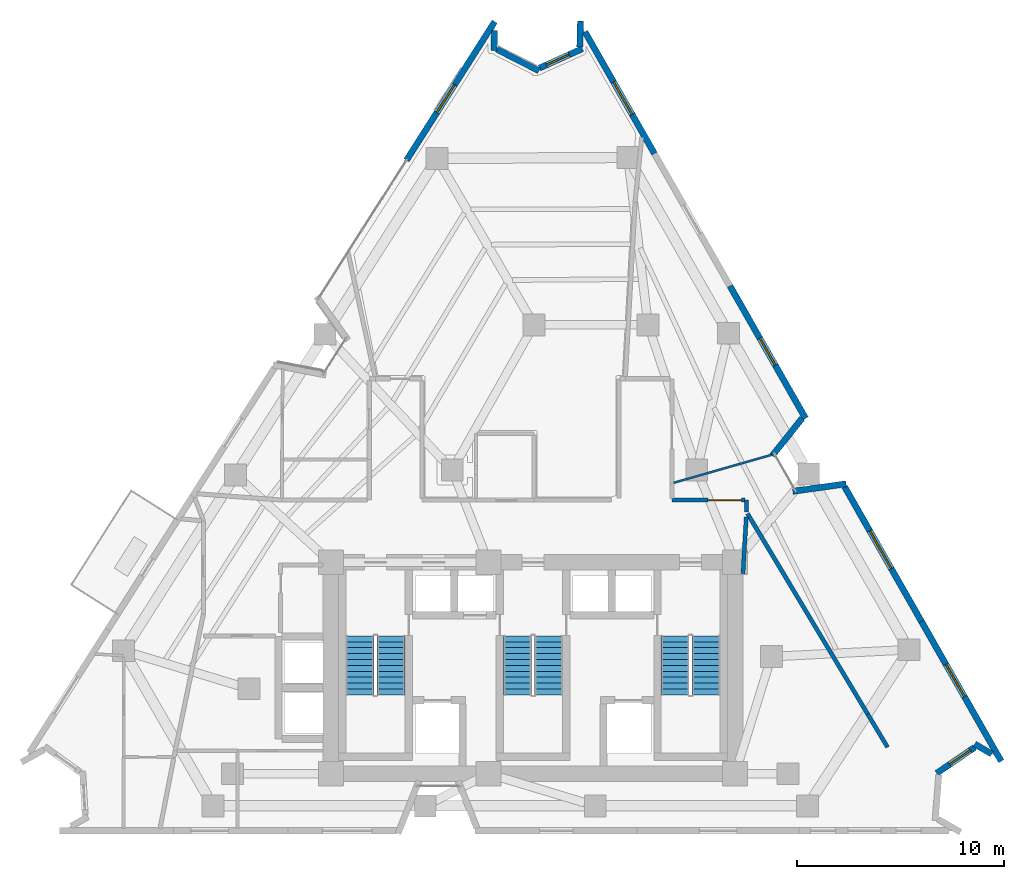
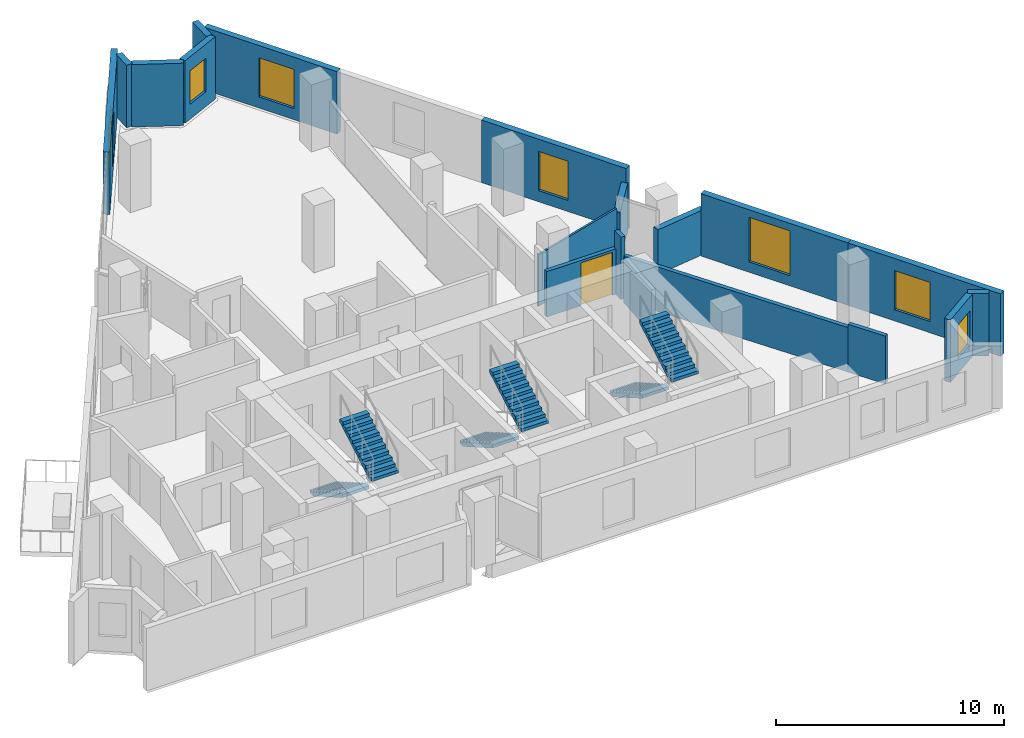
# One storey, part 9 of 11: 19 walls, 7 windows, 6 stair flights, 1 door, 8 openings, 3 elements without a shape of their own.
"""IFC4 building model written with IfcOpenShell, lengths in metres."""

import ifcopenshell
import ifcopenshell.guid

model = None  # the IFC model being written
_history = None  # IfcOwnerHistory: only IFC2X3 demands one
_inside = {}  # id of a spatial element -> (the spatial element, [elements in it])
_under = {}  # id of a project, library or spatial element -> (it, [spatial elements below it])
_declared = {}  # id of a project -> (the project, [libraries it declares])
_typed = {}  # id of a type object -> (the type object, [elements of that type])
_made_of = {}  # id of a material, layer set ... -> (it, [elements and type objects made of it])


def new_model(schema):
    """Start an empty IFC model of exactly this schema.

    Asked for "IFC4X3", IfcOpenShell would pick the latest addendum, in which some entities
    have other attributes; the version numbers below select the first issue.
    IFC2X3 requires an IfcOwnerHistory on every rooted entity: one is made here for all.
    """
    global model, _history
    if schema == "IFC4X3":
        model = ifcopenshell.file(schema_version=(4, 3, 0, 0))
    else:
        model = ifcopenshell.file(schema=schema)
    _inside.clear()
    _under.clear()
    _declared.clear()
    _typed.clear()
    _made_of.clear()
    _history = None
    if model.schema == "IFC2X3":
        org = make("IfcOrganization", Name="unknown")
        user = make(
            "IfcPersonAndOrganization",
            ThePerson=make("IfcPerson", FamilyName="unknown"),
            TheOrganization=org,
        )
        app = make(
            "IfcApplication",
            ApplicationDeveloper=org,
            Version="unknown",
            ApplicationFullName="unknown",
            ApplicationIdentifier="unknown",
        )
        _history = make(
            "IfcOwnerHistory",
            OwningUser=user,
            OwningApplication=app,
            ChangeAction="ADDED",
            CreationDate=0,
        )
    return model


def make(cls, **values):
    """One entity of the class cls with the attributes given. An attribute that is None is left unset."""
    return model.create_entity(
        cls, **{name: value for name, value in values.items() if value is not None}
    )


def rooted(cls, **values):
    """An entity with a GlobalId (a new one), such as an element, a storey or a relation."""
    return make(cls, GlobalId=ifcopenshell.guid.new(), OwnerHistory=_history, **values)


def si_unit(unit_type, name, prefix=None):
    """IfcSIUnit, for example si_unit("LENGTHUNIT", "METRE", prefix="MILLI")."""
    return make("IfcSIUnit", UnitType=unit_type, Prefix=prefix, Name=name)


def assignment(units):
    """IfcUnitAssignment: the units of a project."""
    return None if units is None else make("IfcUnitAssignment", Units=units)


def point(xyz):
    """IfcCartesianPoint."""
    return None if xyz is None else make("IfcCartesianPoint", Coordinates=xyz)


def direction(xyz):
    """IfcDirection."""
    return None if xyz is None else make("IfcDirection", DirectionRatios=xyz)


def frame(location, z_axis=None, x_axis=None):
    """IfcAxis2Placement3D, a coordinate frame: its origin and axes. An axis left out is left unset."""
    return make(
        "IfcAxis2Placement3D",
        Location=point(location),
        Axis=direction(z_axis),
        RefDirection=direction(x_axis),
    )


def frame_2d(location, x_axis=None):
    """IfcAxis2Placement2D, a coordinate frame in the plane: its origin and x axis."""
    return make(
        "IfcAxis2Placement2D", Location=point(location), RefDirection=direction(x_axis)
    )


def origin():
    """The frame at (0, 0, 0) with its axes left unset."""
    return frame((0.0, 0.0, 0.0))


def place(relative_to, where):
    """IfcLocalPlacement: puts the frame where relative to a parent placement (None: the world)."""
    return make(
        "IfcLocalPlacement", PlacementRelTo=relative_to, RelativePlacement=where
    )


def context(
    kind, dimensions, precision=None, world=None, true_north=None, identifier=None
):
    """IfcGeometricRepresentationContext, for example the 3D "Model" context."""
    return make(
        "IfcGeometricRepresentationContext",
        ContextIdentifier=identifier,
        ContextType=kind,
        CoordinateSpaceDimension=dimensions,
        Precision=precision,
        WorldCoordinateSystem=world,
        TrueNorth=true_north,
    )


def subcontext(parent, identifier, kind, view, scale=None):
    """IfcGeometricRepresentationSubContext, for example "Body" below "Model"."""
    return make(
        "IfcGeometricRepresentationSubContext",
        ContextIdentifier=identifier,
        ContextType=kind,
        ParentContext=parent,
        TargetScale=scale,
        TargetView=view,
    )


def project(units=None, contexts=None):
    """IfcProject with its units and contexts."""
    return rooted(
        "IfcProject",
        Name="project",
        RepresentationContexts=contexts,
        UnitsInContext=assignment(units),
    )


def spatial(cls, under=None, at=None, **own):
    """A site, building, storey or space (cls), placed at a placement, below another one or the project."""
    s = rooted(cls, ObjectPlacement=at, **own)
    if under is not None:
        _under.setdefault(under.id(), (under, []))[1].append(s)
    return s


def polyline(points):
    """IfcPolyline through the points."""
    return make("IfcPolyline", Points=[point(p) for p in points])


def profile(cls, at=None, kind="AREA", **sizes):
    """A parametric profile (cls). Its sizes go by their IFC names, for example OverallWidth=200.0."""
    return make(cls, ProfileType=kind, Position=at, **sizes)


def rectangle(**sizes):
    """IfcRectangleProfileDef."""
    return profile("IfcRectangleProfileDef", **sizes)


def outline(outer, holes=None, kind="AREA"):
    """IfcArbitraryClosedProfileDef: a profile drawn as a closed curve; with holes, ...WithVoids."""
    if holes is None:
        return make("IfcArbitraryClosedProfileDef", ProfileType=kind, OuterCurve=outer)
    return make(
        "IfcArbitraryProfileDefWithVoids",
        ProfileType=kind,
        OuterCurve=outer,
        InnerCurves=holes,
    )


def extrude(swept, where, along, depth):
    """IfcExtrudedAreaSolid: the profile swept, set in the frame where, extruded along a direction by depth."""
    return make(
        "IfcExtrudedAreaSolid",
        SweptArea=swept,
        Position=where,
        ExtrudedDirection=direction(along),
        Depth=depth,
    )


def shape(context_of_items, identifier, shape_type, items):
    """IfcShapeRepresentation: the items that make up one representation, for example the "Body"."""
    return make(
        "IfcShapeRepresentation",
        ContextOfItems=context_of_items,
        RepresentationIdentifier=identifier,
        RepresentationType=shape_type,
        Items=items,
    )


def material(Name=None, Category=None):
    """IfcMaterial."""
    return make("IfcMaterial", Name=Name, Category=Category)


def layer(
    of_material, thickness, ventilated=None, Name=None, Category=None, Priority=None
):
    """IfcMaterialLayer: one layer of a wall or slab, of a material (None: an air gap)."""
    return make(
        "IfcMaterialLayer",
        Material=of_material,
        LayerThickness=thickness,
        IsVentilated=ventilated,
        Name=Name,
        Category=Category,
        Priority=Priority,
    )


def layer_set(layers, Name=None):
    """IfcMaterialLayerSet."""
    return make("IfcMaterialLayerSet", MaterialLayers=layers, LayerSetName=Name)


def made_of(thing, what):
    """Note that an element or type object is made of a material, layer set ...; save() writes the relation."""
    if what is not None:
        _made_of.setdefault(what.id(), (what, []))[1].append(thing)
    return thing


def type_object(cls, material=None, **own):
    """A type object (cls), such as IfcWallType, which elements share."""
    return made_of(rooted(cls, **own), material)


def element(
    cls,
    number,
    at=None,
    inside=None,
    cuts=None,
    type_object=None,
    material=None,
    context=None,
    identifier="Body",
    shape_type=None,
    held_by="IfcProductDefinitionShape",
    body=None,
    shapes=None,
    **own,
):
    """One element of the class cls, such as IfcWall. Its Tag is "e" and its number.

    at: its placement. inside: the storey or other place that contains it. cuts: it is an
    opening in that element (IfcRelVoidsElement). A single representation is given by context,
    identifier, shape_type and body (its items); several are given by shapes. held_by: the class
    of the entity that holds the representations. save() writes the other relations.
    """
    e = rooted(cls, Tag="e%d" % number, ObjectPlacement=at, **own)
    if body is not None:
        shapes = [shape(context, identifier, shape_type, body)]
    if shapes is not None:
        e.Representation = make(held_by, Representations=shapes)
    if inside is not None:
        _inside.setdefault(inside.id(), (inside, []))[1].append(e)
    if cuts is not None:
        rooted(
            "IfcRelVoidsElement", RelatingBuildingElement=cuts, RelatedOpeningElement=e
        )
    if type_object is not None:
        _typed.setdefault(type_object.id(), (type_object, []))[1].append(e)
    return made_of(e, material)


def fill(opening, filler):
    """IfcRelFillsElement: the door or window that sits in an opening."""
    return rooted(
        "IfcRelFillsElement",
        RelatingOpeningElement=opening,
        RelatedBuildingElement=filler,
    )


def aggregate(whole, parts):
    """IfcRelAggregates: a whole, such as a stair, and the parts it consists of."""
    return rooted("IfcRelAggregates", RelatingObject=whole, RelatedObjects=parts)


def save(model, path):
    """Write the relations noted so far, then the file.

    IfcRelAggregates (storeys below a building ...), IfcRelContainedInSpatialStructure (elements
    in a storey), IfcRelDefinesByType, IfcRelAssociatesMaterial and IfcRelDeclares: one each for
    every whole, place, type object, material and project.
    """
    for whole, parts in _under.values():
        aggregate(whole, parts)
    for where, things in _inside.values():
        rooted(
            "IfcRelContainedInSpatialStructure",
            RelatedElements=things,
            RelatingStructure=where,
        )
    for kind, things in _typed.values():
        rooted("IfcRelDefinesByType", RelatedObjects=things, RelatingType=kind)
    for what, things in _made_of.values():
        rooted("IfcRelAssociatesMaterial", RelatedObjects=things, RelatingMaterial=what)
    for by, libraries in _declared.values():
        rooted("IfcRelDeclares", RelatingContext=by, RelatedDefinitions=libraries)
    model.write(path)


model = new_model("IFC4")

# Units and contexts
model_context = context("Model", 3, precision=1e-05, world=origin(), true_north=direction((0.0, 1.0)))
body_context = subcontext(model_context, "Body", "Model", "MODEL_VIEW")
ifc_project = project(units=[si_unit("LENGTHUNIT", "METRE"), si_unit("AREAUNIT", "SQUARE_METRE"), si_unit("VOLUMEUNIT", "CUBIC_METRE"), si_unit("PLANEANGLEUNIT", "RADIAN"), si_unit("MASSUNIT", "GRAM", prefix="KILO")], contexts=[model_context])

# Site, building, storey
site_placement = place(None, origin())
site = spatial("IfcSite", under=ifc_project, at=site_placement, CompositionType="ELEMENT")
building_placement = place(site_placement, origin())
building = spatial("IfcBuilding", under=site, at=building_placement, Name="Almagre Mirador Tower", CompositionType="ELEMENT")
storey_placement = place(building_placement, frame((0.0, 0.0, 142.800048828125)))
storey = spatial("IfcBuildingStorey", under=building, at=storey_placement, Name="L36", CompositionType="ELEMENT", Elevation=142.800048828125)

# Wall, opening, window
ifc_material_1 = material(Name="Precast concrete C50/60", Category="concrete")
ifc_layer_1 = layer(ifc_material_1, 0.300048828125)
ifc_layer_set_1 = layer_set([ifc_layer_1], Name="Precast concrete C50/60")
wall_type_1 = type_object("IfcWallType", Name="WAL-EXT-300", PredefinedType="SOLIDWALL", material=ifc_layer_set_1)
wall_1_placement = place(storey_placement, frame((31.194091796875, 34.140380859375, 0.0), z_axis=(0.0, 0.0, 1.0), x_axis=(0.537090737188, 0.843524475061, 0.0)))
wall_1 = element("IfcWall", 1, at=wall_1_placement, inside=storey, type_object=wall_type_1, Name="L36 expressed almagre precast frame wall 03", PredefinedType="SOLIDWALL", context=body_context, shape_type="SweptSolid", body=[
    extrude(rectangle(XDim=7.92578125, YDim=0.300048828125, at=frame_2d((3.962890625, 0.0))), origin(), (0.0, 0.0, 1.0), 3.349853515625),
])
opening_1_placement = place(wall_1_placement, frame((2.72509765625, 0.0, 0.550048828125)))
opening_1 = element("IfcOpeningElement", 2, at=opening_1_placement, cuts=wall_1, Name="Opening WN-06", PredefinedType="OPENING", context=body_context, shape_type="SweptSolid", body=[
    extrude(rectangle(XDim=1.60009765625, YDim=2.199951171875, at=frame_2d((0.800048828125, 1.10009765625))), frame((0.0, 0.159902, 0.0), z_axis=(0.0, -1.0, 0.0), x_axis=(1.0, 0.0, 0.0)), (0.0, 0.0, 1.0), 0.320049),
])
ifc_material_2 = material(Name="Dark solar-control laminated hurricane glass", Category="glass")
window_type_1 = type_object("IfcWindowType", Name="WIN-1600X2200", PartitioningType="DOUBLE_PANEL_VERTICAL", PredefinedType="WINDOW", material=ifc_material_2)
window_1_placement = place(opening_1_placement, origin())
window_1 = element("IfcWindow", 3, at=window_1_placement, inside=storey, type_object=window_type_1, Name="L36 recessed hurricane window L36-RST-J", OverallHeight=2.199951171875, OverallWidth=1.60009765625, PartitioningType="SINGLE_PANEL", PredefinedType="WINDOW", context=body_context, shape_type="SweptSolid", body=[
    extrude(rectangle(XDim=1.60009765625, YDim=2.199951171875, at=frame_2d((0.800048828125, 1.10009765625))), frame((0.0, 0.030029296875, 0.0), z_axis=(0.0, -1.0, 0.0), x_axis=(1.0, 0.0, 0.0)), (0.0, 0.0, 1.0), 0.06005859375),
])
fill(opening_1, window_1)

# Walls
wall_2_placement = place(storey_placement, frame((35.44091796875, 40.396240234375, 0.0), z_axis=(0.0, 0.0, 1.0), x_axis=(-0.023898557354, -0.999714388691, 0.0)))
element("IfcWall", 4, at=wall_2_placement, inside=storey, type_object=wall_type_1, Name="L36 expressed almagre precast frame wall 04", PredefinedType="SOLIDWALL", context=body_context, shape_type="SweptSolid", body=[
    extrude(rectangle(XDim=0.970458984375, YDim=0.300048828125, at=frame_2d((0.4853515625, 0.0))), origin(), (0.0, 0.0, 1.0), 3.349853515625),
])
wall_3_placement = place(storey_placement, frame((35.545654296875, 39.502197265625, 0.0), z_axis=(0.0, 0.0, 1.0), x_axis=(0.890388661124, -0.455201089786, 0.0)))
element("IfcWall", 5, at=wall_3_placement, inside=storey, type_object=wall_type_1, Name="L36 expressed almagre precast frame wall 05", PredefinedType="SOLIDWALL", context=body_context, shape_type="SweptSolid", body=[
    extrude(rectangle(XDim=2.29345703125, YDim=0.300048828125, at=frame_2d((1.146728515625, 0.0))), origin(), (0.0, 0.0, 1.0), 3.349853515625),
])

# Wall, opening, window
wall_4_placement = place(storey_placement, frame((37.604248046875, 38.585693359375, 0.0), z_axis=(0.0, 0.0, 1.0), x_axis=(0.911256421967, 0.411839451029, 0.0)))
wall_4 = element("IfcWall", 6, at=wall_4_placement, inside=storey, type_object=wall_type_1, Name="L36 expressed almagre precast frame wall 06", PredefinedType="SOLIDWALL", context=body_context, shape_type="SweptSolid", body=[
    extrude(rectangle(XDim=2.277587890625, YDim=0.300048828125, at=frame_2d((1.138671875, 0.0))), origin(), (0.0, 0.0, 1.0), 3.349853515625),
])
opening_2_placement = place(wall_4_placement, frame((0.3798828125, 0.0, 0.800048828125)))
opening_2 = element("IfcOpeningElement", 7, at=opening_2_placement, cuts=wall_4, Name="Opening WN-04", PredefinedType="OPENING", context=body_context, shape_type="SweptSolid", body=[
    extrude(rectangle(XDim=1.199951171875, YDim=1.800048828125, at=frame_2d((0.60009765625, 0.89990234375))), frame((0.0, 0.159902, 0.0), z_axis=(0.0, -1.0, 0.0), x_axis=(1.0, 0.0, 0.0)), (0.0, 0.0, 1.0), 0.320049),
])
ifc_material_3 = material(Name="Dark solar-control laminated hurricane glass", Category="glass")
window_type_2 = type_object("IfcWindowType", Name="WIN-1200X1800", PartitioningType="SINGLE_PANEL", PredefinedType="WINDOW", material=ifc_material_3)
window_2_placement = place(opening_2_placement, origin())
window_2 = element("IfcWindow", 8, at=window_2_placement, inside=storey, type_object=window_type_2, Name="L36 recessed hurricane window L36-UK-KT", OverallHeight=1.800048828125, OverallWidth=1.199951171875, PartitioningType="SINGLE_PANEL", PredefinedType="WINDOW", context=body_context, shape_type="SweptSolid", body=[
    extrude(rectangle(XDim=1.199951171875, YDim=1.800048828125, at=frame_2d((0.60009765625, 0.89990234375))), frame((0.0, 0.030029296875, 0.0), z_axis=(0.0, -1.0, 0.0), x_axis=(1.0, 0.0, 0.0)), (0.0, 0.0, 1.0), 0.06005859375),
])
fill(opening_2, window_2)

# Wall
wall_5_placement = place(storey_placement, frame((39.555419921875, 39.60595703125, 0.0), z_axis=(0.0, 0.0, 1.0), x_axis=(0.024600187161, 0.999697369603, 0.0)))
element("IfcWall", 9, at=wall_5_placement, inside=storey, type_object=wall_type_1, Name="L36 expressed almagre precast frame wall 07", PredefinedType="SOLIDWALL", context=body_context, shape_type="SweptSolid", body=[
    extrude(rectangle(XDim=1.260498046875, YDim=0.300048828125, at=frame_2d((0.63037109375, 0.0))), origin(), (0.0, 0.0, 1.0), 3.349853515625),
])

# Wall, opening, window
wall_6_placement = place(storey_placement, frame((39.8037109375, 40.339599609375, 0.0), z_axis=(0.0, 0.0, 1.0), x_axis=(0.495676513751, -0.868507221453, 0.0)))
wall_6 = element("IfcWall", 10, at=wall_6_placement, inside=storey, type_object=wall_type_1, Name="L36 expressed almagre precast frame wall 08", PredefinedType="SOLIDWALL", context=body_context, shape_type="SweptSolid", body=[
    extrude(rectangle(XDim=6.76708984375, YDim=0.300048828125, at=frame_2d((3.383544921875, 0.0))), origin(), (0.0, 0.0, 1.0), 3.349853515625),
])
opening_3_placement = place(wall_6_placement, frame((2.7900390625, 0.0, 0.60009765625)))
opening_3 = element("IfcOpeningElement", 11, at=opening_3_placement, cuts=wall_6, Name="Opening WN-01", PredefinedType="OPENING", context=body_context, shape_type="SweptSolid", body=[
    extrude(rectangle(XDim=1.800048828125, YDim=2.10009765625, at=frame_2d((0.89990234375, 1.050048828125))), frame((0.0, 0.159902, 0.0), z_axis=(0.0, -1.0, 0.0), x_axis=(1.0, 0.0, 0.0)), (0.0, 0.0, 1.0), 0.320049),
])
ifc_material_4 = material(Name="Dark solar-control laminated hurricane glass", Category="glass")
window_type_3 = type_object("IfcWindowType", Name="WIN-1800X2100", PartitioningType="DOUBLE_PANEL_VERTICAL", PredefinedType="WINDOW", material=ifc_material_4)
window_3_placement = place(opening_3_placement, origin())
window_3 = element("IfcWindow", 12, at=window_3_placement, inside=storey, type_object=window_type_3, Name="L36 recessed hurricane window L36-UK-BT", OverallHeight=2.10009765625, OverallWidth=1.800048828125, PartitioningType="SINGLE_PANEL", PredefinedType="WINDOW", context=body_context, shape_type="SweptSolid", body=[
    extrude(rectangle(XDim=1.800048828125, YDim=2.10009765625, at=frame_2d((0.89990234375, 1.050048828125))), frame((0.0, 0.030029296875, 0.0), z_axis=(0.0, -1.0, 0.0), x_axis=(1.0, 0.0, 0.0)), (0.0, 0.0, 1.0), 0.06005859375),
])
fill(opening_3, window_3)

wall_7_placement = place(storey_placement, frame((46.802001953125, 28.077392578125, 0.0), z_axis=(0.0, 0.0, 1.0), x_axis=(0.495698993586, -0.868494391322, 0.0)))
wall_7 = element("IfcWall", 13, at=wall_7_placement, inside=storey, type_object=wall_type_1, Name="L36 expressed almagre precast frame wall 10", PredefinedType="SOLIDWALL", context=body_context, shape_type="SweptSolid", body=[
    extrude(rectangle(XDim=7.351806640625, YDim=0.300048828125, at=frame_2d((3.67578125, 0.0))), origin(), (0.0, 0.0, 1.0), 3.349853515625),
])
opening_4_placement = place(wall_7_placement, frame((2.89990234375, 0.0, 0.60009765625)))
opening_4 = element("IfcOpeningElement", 14, at=opening_4_placement, cuts=wall_7, Name="Opening WN-03", PredefinedType="OPENING", context=body_context, shape_type="SweptSolid", body=[
    extrude(rectangle(XDim=1.5, YDim=2.10009765625, at=frame_2d((0.75, 1.050048828125))), frame((0.0, 0.159902, 0.0), z_axis=(0.0, -1.0, 0.0), x_axis=(1.0, 0.0, 0.0)), (0.0, 0.0, 1.0), 0.320049),
])
ifc_material_5 = material(Name="Dark solar-control laminated hurricane glass", Category="glass")
window_type_4 = type_object("IfcWindowType", Name="WIN-1500X2100", PartitioningType="DOUBLE_PANEL_VERTICAL", PredefinedType="WINDOW", material=ifc_material_5)
window_4_placement = place(opening_4_placement, origin())
window_4 = element("IfcWindow", 15, at=window_4_placement, inside=storey, type_object=window_type_4, Name="L36 recessed hurricane window L36-RST-H", OverallHeight=2.10009765625, OverallWidth=1.5, PartitioningType="SINGLE_PANEL", PredefinedType="WINDOW", context=body_context, shape_type="SweptSolid", body=[
    extrude(rectangle(XDim=1.5, YDim=2.10009765625, at=frame_2d((0.75, 1.050048828125))), frame((0.0, 0.030029296875, 0.0), z_axis=(0.0, -1.0, 0.0), x_axis=(1.0, 0.0, 0.0)), (0.0, 0.0, 1.0), 0.06005859375),
])
fill(opening_4, window_4)

# Walls
wall_8_placement = place(storey_placement, frame((50.289794921875, 21.70458984375, 0.0), z_axis=(0.0, 0.0, 1.0), x_axis=(-0.624064384905, -0.781372922165, 0.0)))
element("IfcWall", 16, at=wall_8_placement, inside=storey, type_object=wall_type_1, Name="L36 expressed almagre precast frame wall 11", PredefinedType="SOLIDWALL", context=body_context, shape_type="SweptSolid", body=[
    extrude(rectangle(XDim=2.31396484375, YDim=0.300048828125, at=frame_2d((1.156982421875, 0.0))), origin(), (0.0, 0.0, 1.0), 2.574951171875),
])
wall_9_placement = place(storey_placement, frame((49.830322265625, 18.17138671875, 0.0), z_axis=(0.0, 0.0, 1.0), x_axis=(0.990216802577, 0.139537392457, 0.0)))
element("IfcWall", 17, at=wall_9_placement, inside=storey, type_object=wall_type_1, Name="L36 expressed almagre precast frame wall 12", PredefinedType="SOLIDWALL", context=body_context, shape_type="SweptSolid", body=[
    extrude(rectangle(XDim=2.5947265625, YDim=0.300048828125, at=frame_2d((1.29736328125, 0.0))), origin(), (0.0, 0.0, 1.0), 2.39794921875),
])

# Wall, opening, window
wall_10_placement = place(storey_placement, frame((52.330322265625, 18.392333984375, 0.0), z_axis=(0.0, 0.0, 1.0), x_axis=(0.495678538147, -0.868506066082, 0.0)))
wall_10 = element("IfcWall", 18, at=wall_10_placement, inside=storey, type_object=wall_type_1, Name="L36 expressed almagre precast frame wall 13", PredefinedType="SOLIDWALL", context=body_context, shape_type="SweptSolid", body=[
    extrude(rectangle(XDim=7.482177734375, YDim=0.300048828125, at=frame_2d((3.7412109375, 0.0))), origin(), (0.0, 0.0, 1.0), 3.349853515625),
])
opening_5_placement = place(wall_10_placement, frame((2.445068359375, 0.0, 0.550048828125)))
opening_5 = element("IfcOpeningElement", 19, at=opening_5_placement, cuts=wall_10, Name="Opening WN-05", PredefinedType="OPENING", context=body_context, shape_type="SweptSolid", body=[
    extrude(rectangle(XDim=2.10009765625, YDim=2.39990234375, at=frame_2d((1.050048828125, 1.199951171875))), frame((0.0, 0.159902, 0.0), z_axis=(0.0, -1.0, 0.0), x_axis=(1.0, 0.0, 0.0)), (0.0, 0.0, 1.0), 0.320049),
])
ifc_material_6 = material(Name="Dark solar-control laminated hurricane glass", Category="glass")
window_type_5 = type_object("IfcWindowType", Name="WIN-2100X2400", PartitioningType="DOUBLE_PANEL_VERTICAL", PredefinedType="WINDOW", material=ifc_material_6)
window_5_placement = place(opening_5_placement, origin())
window_5 = element("IfcWindow", 20, at=window_5_placement, inside=storey, type_object=window_type_5, Name="L36 recessed hurricane window L36-RST-E", OverallHeight=2.39990234375, OverallWidth=2.10009765625, PartitioningType="SINGLE_PANEL", PredefinedType="WINDOW", context=body_context, shape_type="SweptSolid", body=[
    extrude(rectangle(XDim=2.10009765625, YDim=2.39990234375, at=frame_2d((1.050048828125, 1.199951171875))), frame((0.0, 0.030029296875, 0.0), z_axis=(0.0, -1.0, 0.0), x_axis=(1.0, 0.0, 0.0)), (0.0, 0.0, 1.0), 0.06005859375),
])
fill(opening_5, window_5)

wall_11_placement = place(storey_placement, frame((56.0390625, 11.89404296875, 0.0), z_axis=(0.0, 0.0, 1.0), x_axis=(0.495654497979, -0.868519785977, 0.0)))
wall_11 = element("IfcWall", 21, at=wall_11_placement, inside=storey, type_object=wall_type_1, Name="L36 expressed almagre precast frame wall 14", PredefinedType="SOLIDWALL", context=body_context, shape_type="SweptSolid", body=[
    extrude(rectangle(XDim=7.76220703125, YDim=0.300048828125, at=frame_2d((3.881103515625, 0.0))), origin(), (0.0, 0.0, 1.0), 3.349853515625),
])
opening_6_placement = place(wall_11_placement, frame((2.375, 0.0, 0.60009765625)))
opening_6 = element("IfcOpeningElement", 22, at=opening_6_placement, cuts=wall_11, Name="Opening WN-01", PredefinedType="OPENING", context=body_context, shape_type="SweptSolid", body=[
    extrude(rectangle(XDim=1.800048828125, YDim=2.10009765625, at=frame_2d((0.89990234375, 1.050048828125))), frame((0.0, 0.159902, 0.0), z_axis=(0.0, -1.0, 0.0), x_axis=(1.0, 0.0, 0.0)), (0.0, 0.0, 1.0), 0.320049),
])
window_6_placement = place(opening_6_placement, origin())
window_6 = element("IfcWindow", 23, at=window_6_placement, inside=storey, type_object=window_type_3, Name="L36 recessed hurricane window L36-RST-E", OverallHeight=2.10009765625, OverallWidth=1.800048828125, PartitioningType="SINGLE_PANEL", PredefinedType="WINDOW", context=body_context, shape_type="SweptSolid", body=[
    extrude(rectangle(XDim=1.800048828125, YDim=2.10009765625, at=frame_2d((0.89990234375, 1.050048828125))), frame((0.0, 0.030029296875, 0.0), z_axis=(0.0, -1.0, 0.0), x_axis=(1.0, 0.0, 0.0)), (0.0, 0.0, 1.0), 0.06005859375),
])
fill(opening_6, window_6)

# Wall
wall_12_placement = place(storey_placement, frame((59.423583984375, 5.502685546875, 0.0), z_axis=(0.0, 0.0, 1.0), x_axis=(-0.864593366582, 0.502472198695, 0.0)))
element("IfcWall", 24, at=wall_12_placement, inside=storey, type_object=wall_type_1, Name="L36 expressed almagre precast frame wall 15", PredefinedType="SOLIDWALL", context=body_context, shape_type="SweptSolid", body=[
    extrude(rectangle(XDim=0.944580078125, YDim=0.300048828125, at=frame_2d((0.47216796875, 0.0))), origin(), (0.0, 0.0, 1.0), 3.349853515625),
])

# Wall, opening, window
wall_13_placement = place(storey_placement, frame((58.6083984375, 5.8251953125, 0.0), z_axis=(0.0, 0.0, 1.0), x_axis=(-0.8261738865, -0.563415219234, 0.0)))
wall_13 = element("IfcWall", 25, at=wall_13_placement, inside=storey, type_object=wall_type_1, Name="L36 expressed almagre precast frame wall 16", PredefinedType="SOLIDWALL", context=body_context, shape_type="SweptSolid", body=[
    extrude(rectangle(XDim=2.222412109375, YDim=0.300048828125, at=frame_2d((1.111328125, 0.0))), origin(), (0.0, 0.0, 1.0), 3.349853515625),
])
opening_7_placement = place(wall_13_placement, frame((0.264892578125, 0.0, 0.800048828125)))
opening_7 = element("IfcOpeningElement", 26, at=opening_7_placement, cuts=wall_13, Name="Opening WN-04", PredefinedType="OPENING", context=body_context, shape_type="SweptSolid", body=[
    extrude(rectangle(XDim=1.199951171875, YDim=1.800048828125, at=frame_2d((0.60009765625, 0.89990234375))), frame((0.0, 0.159902, 0.0), z_axis=(0.0, -1.0, 0.0), x_axis=(1.0, 0.0, 0.0)), (0.0, 0.0, 1.0), 0.320049),
])
window_7_placement = place(opening_7_placement, origin())
window_7 = element("IfcWindow", 27, at=window_7_placement, inside=storey, type_object=window_type_2, Name="L36 recessed hurricane window L36-RST-E", OverallHeight=1.800048828125, OverallWidth=1.199951171875, PartitioningType="SINGLE_PANEL", PredefinedType="WINDOW", context=body_context, shape_type="SweptSolid", body=[
    extrude(rectangle(XDim=1.199951171875, YDim=1.800048828125, at=frame_2d((0.60009765625, 0.89990234375))), frame((0.0, 0.030029296875, 0.0), z_axis=(0.0, -1.0, 0.0), x_axis=(1.0, 0.0, 0.0)), (0.0, 0.0, 1.0), 0.06005859375),
])
fill(opening_7, window_7)

# Walls
ifc_material_7 = material(Name="Gypsum acoustic stud partition", Category="other")
ifc_layer_2 = layer(ifc_material_7, 0.10009765625)
ifc_layer_set_2 = layer_set([ifc_layer_2], Name="Gypsum acoustic stud partition")
wall_type_2 = type_object("IfcWallType", Name="WAL-PRT-100-CLS", PredefinedType="PARTITIONING", material=ifc_layer_set_2)
wall_14_placement = place(storey_placement, frame((48.833984375, 19.941650390625, 0.0), z_axis=(0.0, 0.0, 1.0), x_axis=(-0.961503440743, -0.274792891901, 0.0)))
element("IfcWall", 28, at=wall_14_placement, inside=storey, type_object=wall_type_2, Name="L36 interior partition 044", PredefinedType="PARTITIONING", context=body_context, shape_type="SweptSolid", body=[
    extrude(rectangle(XDim=4.9423828125, YDim=0.10009765625, at=frame_2d((2.47119140625, 0.0))), origin(), (0.0, 0.0, 1.0), 2.77099609375),
])
ifc_material_8 = material(Name="Gypsum acoustic stud partition", Category="other")
ifc_layer_3 = layer(ifc_material_8, 0.199951171875)
ifc_layer_set_3 = layer_set([ifc_layer_3], Name="Gypsum acoustic stud partition")
wall_type_3 = type_object("IfcWallType", Name="WAL-PRT-200-EI60", PredefinedType="PARTITIONING", material=ifc_layer_set_3)
wall_15_placement = place(storey_placement, frame((47.425048828125, 14.199951171875, 0.0), z_axis=(0.0, 0.0, 1.0), x_axis=(0.058821437307, 0.998268520245, 0.0)))
element("IfcWall", 29, at=wall_15_placement, inside=storey, type_object=wall_type_3, Name="L36 interior partition 004", PredefinedType="PARTITIONING", context=body_context, shape_type="SweptSolid", body=[
    extrude(rectangle(XDim=2.735107421875, YDim=0.199951171875, at=frame_2d((1.36767578125, 0.0))), origin(), (0.0, 0.0, 1.0), 2.39306640625),
])
wall_16_placement = place(storey_placement, frame((47.60009765625, 17.169921875, 0.0), z_axis=(0.0, 0.0, 1.0), x_axis=(0.0, 1.0, 0.0)))
element("IfcWall", 30, at=wall_16_placement, inside=storey, type_object=wall_type_3, Name="L36 interior partition 005", PredefinedType="PARTITIONING", context=body_context, shape_type="SweptSolid", body=[
    extrude(rectangle(XDim=0.580078125, YDim=0.199951171875, at=frame_2d((0.2900390625, 0.0))), origin(), (0.0, 0.0, 1.0), 3.349853515625),
])

# Wall, opening, door
wall_17_placement = place(storey_placement, frame((47.514892578125, 17.75, 0.0), z_axis=(0.0, 0.0, 1.0), x_axis=(-1.0, 0.0, 0.0)))
wall_17 = element("IfcWall", 31, at=wall_17_placement, inside=storey, type_object=wall_type_3, Name="L36 interior partition 006", PredefinedType="PARTITIONING", context=body_context, shape_type="SweptSolid", body=[
    extrude(rectangle(XDim=3.514892578125, YDim=0.199951171875, at=frame_2d((1.75732421875, 0.0))), origin(), (0.0, 0.0, 1.0), 2.43603515625),
])
opening_8_placement = place(wall_17_placement, frame((0.169677734375, 0.0, 0.0)))
opening_8 = element("IfcOpeningElement", 32, at=opening_8_placement, cuts=wall_17, Name="Opening ID-05", PredefinedType="OPENING", context=body_context, shape_type="SweptSolid", body=[
    extrude(rectangle(XDim=1.60009765625, YDim=2.300048828125, at=frame_2d((0.800048828125, 1.14990234375))), frame((0.0, 0.110098, 0.0), z_axis=(0.0, -1.0, 0.0), x_axis=(1.0, 0.0, 0.0)), (0.0, 0.0, 1.0), 0.219951),
])
ifc_material_9 = material(Name="Fire-rated acoustic timber", Category="wood")
door_type = type_object("IfcDoorType", Name="DOR-FD60-1600X2300", OperationType="DOUBLE_DOOR_SINGLE_SWING", PredefinedType="DOOR", material=ifc_material_9)
door_placement = place(opening_8_placement, origin())
door = element("IfcDoor", 33, at=door_placement, inside=storey, type_object=door_type, Name="DR-1173 L36 interior door L36-RCOR to L36-RST-E", OperationType="DOUBLE_DOOR_SINGLE_SWING", OverallHeight=2.300048828125, OverallWidth=1.60009765625, PredefinedType="DOOR", context=body_context, shape_type="SweptSolid", body=[
    extrude(rectangle(XDim=1.60009765625, YDim=2.300048828125, at=frame_2d((0.800048828125, 1.14990234375))), frame((0.0, 0.02490234375, 0.0), z_axis=(0.0, -1.0, 0.0), x_axis=(1.0, 0.0, 0.0)), (0.0, 0.0, 1.0), 0.050048828125),
])
fill(opening_8, door)

# Walls
wall_18_placement = place(storey_placement, frame((53.43994140625, 7.429931640625, 0.0), z_axis=(0.0, 0.0, 1.0), x_axis=(-0.514221798282, 0.857657240494, 0.0)))
element("IfcWall", 34, at=wall_18_placement, inside=storey, type_object=wall_type_3, Name="L36 interior partition 041", PredefinedType="PARTITIONING", context=body_context, shape_type="SweptSolid", body=[
    extrude(rectangle(XDim=11.271728515625, YDim=0.199951171875, at=frame_2d((5.6357421875, 0.0))), origin(), (0.0, 0.0, 1.0), 2.39306640625),
])
wall_19_placement = place(storey_placement, frame((54.39990234375, 5.830078125, 0.0), z_axis=(0.0, 0.0, 1.0), x_axis=(-0.514514998424, 0.857481379621, 0.0)))
element("IfcWall", 35, at=wall_19_placement, inside=storey, type_object=wall_type_3, Name="L36 interior partition 043", PredefinedType="PARTITIONING", context=body_context, shape_type="SweptSolid", body=[
    extrude(rectangle(XDim=1.86572265625, YDim=0.199951171875, at=frame_2d((0.932861328125, 0.0))), origin(), (0.0, 0.0, 1.0), 2.570068359375),
])

# Stair, stair flights
ifc_material_10 = material(Name="Concrete C45/55", Category="concrete")
stair_type = type_object("IfcStairType", Name="STR-DL-3600", PredefinedType="HALF_TURN_STAIR", material=ifc_material_10)
stair_1_placement = place(storey_placement, origin())
stair_1 = element("IfcStair", 36, at=stair_1_placement, inside=storey, type_object=stair_type, Name="L36 Protected exit stair ST-1", PredefinedType="HALF_TURN_STAIR")
ifc_material_11 = material(Name="Concrete C45/55", Category="concrete")
stair_flight_type = type_object("IfcStairFlightType", Name="FLT-DL-3600", PredefinedType="STRAIGHT", material=ifc_material_11)
stair_flight_1_placement = place(storey_placement, frame((28.949951171875, 11.199951171875, 0.0), z_axis=(0.0, 0.0, 1.0), x_axis=(0.0, -1.0, 0.0)))
stair_flight_1 = element("IfcStairFlight", 37, at=stair_flight_1_placement, type_object=stair_flight_type, Name="ST-1 flight 1", NumberOfRisers=11, NumberOfTreads=10, PredefinedType="STRAIGHT", RiserHeight=0.163636364, TreadLength=0.285, context=body_context, shape_type="SweptSolid", body=[
    extrude(outline(polyline([(0.0, 0.0), (0.0, 0.16357421875), (0.284912109375, 0.16357421875), (0.284912109375, 0.327392578125), (0.570068359375, 0.327392578125), (0.570068359375, 0.490966796875), (0.85498046875, 0.490966796875), (0.85498046875, 0.654541015625), (1.139892578125, 0.654541015625), (1.139892578125, 0.818115234375), (1.425048828125, 0.818115234375), (1.425048828125, 0.98193359375), (1.7099609375, 0.98193359375), (1.7099609375, 1.1455078125), (1.9951171875, 1.1455078125), (1.9951171875, 1.30908203125), (2.280029296875, 1.30908203125), (2.280029296875, 1.47265625), (2.56494140625, 1.47265625), (2.56494140625, 1.636474609375), (2.85009765625, 1.636474609375), (2.85009765625, 1.800048828125), (2.85009765625, 1.463623046875), (0.301025390625, 0.0), (0.0, 0.0)])), frame((0.0, 0.675048828125, 0.0), z_axis=(0.0, -1.0, 0.0), x_axis=(1.0, 0.0, 0.0)), (0.0, 0.0, 1.0), 1.35009765625),
])
stair_flight_2_placement = place(storey_placement, frame((30.449951171875, 8.35009765625, 1.800048828125), z_axis=(0.0, 0.0, 1.0), x_axis=(0.0, 1.0, 0.0)))
stair_flight_2 = element("IfcStairFlight", 38, at=stair_flight_2_placement, type_object=stair_flight_type, Name="ST-1 flight 2", NumberOfRisers=11, NumberOfTreads=10, PredefinedType="STRAIGHT", RiserHeight=0.163636364, TreadLength=0.285, context=body_context, shape_type="SweptSolid", body=[
    extrude(outline(polyline([(0.0, 0.0), (0.0, 0.16357421875), (0.284912109375, 0.16357421875), (0.284912109375, 0.327392578125), (0.570068359375, 0.327392578125), (0.570068359375, 0.490966796875), (0.85498046875, 0.490966796875), (0.85498046875, 0.654541015625), (1.139892578125, 0.654541015625), (1.139892578125, 0.818115234375), (1.425048828125, 0.818115234375), (1.425048828125, 0.98193359375), (1.7099609375, 0.98193359375), (1.7099609375, 1.1455078125), (1.9951171875, 1.1455078125), (1.9951171875, 1.30908203125), (2.280029296875, 1.30908203125), (2.280029296875, 1.47265625), (2.56494140625, 1.47265625), (2.56494140625, 1.636474609375), (2.85009765625, 1.636474609375), (2.85009765625, 1.800048828125), (2.85009765625, 1.463623046875), (0.301025390625, 0.0), (0.0, 0.0)])), frame((0.0, 0.675048828125, 0.0), z_axis=(0.0, -1.0, 0.0), x_axis=(1.0, 0.0, 0.0)), (0.0, 0.0, 1.0), 1.35009765625),
])
aggregate(stair_1, [stair_flight_1, stair_flight_2])

stair_2_placement = place(storey_placement, origin())
stair_2 = element("IfcStair", 39, at=stair_2_placement, inside=storey, type_object=stair_type, Name="L36 Protected exit stair ST-2", PredefinedType="HALF_TURN_STAIR")
stair_flight_3_placement = place(storey_placement, frame((36.550048828125, 11.199951171875, 0.0), z_axis=(0.0, 0.0, 1.0), x_axis=(0.0, -1.0, 0.0)))
stair_flight_3 = element("IfcStairFlight", 40, at=stair_flight_3_placement, type_object=stair_flight_type, Name="ST-2 flight 1", NumberOfRisers=11, NumberOfTreads=10, PredefinedType="STRAIGHT", RiserHeight=0.163636364, TreadLength=0.285, context=body_context, shape_type="SweptSolid", body=[
    extrude(outline(polyline([(0.0, 0.0), (0.0, 0.16357421875), (0.284912109375, 0.16357421875), (0.284912109375, 0.327392578125), (0.570068359375, 0.327392578125), (0.570068359375, 0.490966796875), (0.85498046875, 0.490966796875), (0.85498046875, 0.654541015625), (1.139892578125, 0.654541015625), (1.139892578125, 0.818115234375), (1.425048828125, 0.818115234375), (1.425048828125, 0.98193359375), (1.7099609375, 0.98193359375), (1.7099609375, 1.1455078125), (1.9951171875, 1.1455078125), (1.9951171875, 1.30908203125), (2.280029296875, 1.30908203125), (2.280029296875, 1.47265625), (2.56494140625, 1.47265625), (2.56494140625, 1.636474609375), (2.85009765625, 1.636474609375), (2.85009765625, 1.800048828125), (2.85009765625, 1.463623046875), (0.301025390625, 0.0), (0.0, 0.0)])), frame((0.0, 0.675048828125, 0.0), z_axis=(0.0, -1.0, 0.0), x_axis=(1.0, 0.0, 0.0)), (0.0, 0.0, 1.0), 1.35009765625),
])
stair_flight_4_placement = place(storey_placement, frame((38.050048828125, 8.35009765625, 1.800048828125), z_axis=(0.0, 0.0, 1.0), x_axis=(0.0, 1.0, 0.0)))
stair_flight_4 = element("IfcStairFlight", 41, at=stair_flight_4_placement, type_object=stair_flight_type, Name="ST-2 flight 2", NumberOfRisers=11, NumberOfTreads=10, PredefinedType="STRAIGHT", RiserHeight=0.163636364, TreadLength=0.285, context=body_context, shape_type="SweptSolid", body=[
    extrude(outline(polyline([(0.0, 0.0), (0.0, 0.16357421875), (0.284912109375, 0.16357421875), (0.284912109375, 0.327392578125), (0.570068359375, 0.327392578125), (0.570068359375, 0.490966796875), (0.85498046875, 0.490966796875), (0.85498046875, 0.654541015625), (1.139892578125, 0.654541015625), (1.139892578125, 0.818115234375), (1.425048828125, 0.818115234375), (1.425048828125, 0.98193359375), (1.7099609375, 0.98193359375), (1.7099609375, 1.1455078125), (1.9951171875, 1.1455078125), (1.9951171875, 1.30908203125), (2.280029296875, 1.30908203125), (2.280029296875, 1.47265625), (2.56494140625, 1.47265625), (2.56494140625, 1.636474609375), (2.85009765625, 1.636474609375), (2.85009765625, 1.800048828125), (2.85009765625, 1.463623046875), (0.301025390625, 0.0), (0.0, 0.0)])), frame((0.0, 0.675048828125, 0.0), z_axis=(0.0, -1.0, 0.0), x_axis=(1.0, 0.0, 0.0)), (0.0, 0.0, 1.0), 1.35009765625),
])
aggregate(stair_2, [stair_flight_3, stair_flight_4])

stair_3_placement = place(storey_placement, origin())
stair_3 = element("IfcStair", 42, at=stair_3_placement, inside=storey, type_object=stair_type, Name="L36 Protected exit stair ST-3", PredefinedType="HALF_TURN_STAIR")
stair_flight_5_placement = place(storey_placement, frame((44.14990234375, 11.199951171875, 0.0), z_axis=(0.0, 0.0, 1.0), x_axis=(0.0, -1.0, 0.0)))
stair_flight_5 = element("IfcStairFlight", 43, at=stair_flight_5_placement, type_object=stair_flight_type, Name="ST-3 flight 1", NumberOfRisers=11, NumberOfTreads=10, PredefinedType="STRAIGHT", RiserHeight=0.163636364, TreadLength=0.285, context=body_context, shape_type="SweptSolid", body=[
    extrude(outline(polyline([(0.0, 0.0), (0.0, 0.16357421875), (0.284912109375, 0.16357421875), (0.284912109375, 0.327392578125), (0.570068359375, 0.327392578125), (0.570068359375, 0.490966796875), (0.85498046875, 0.490966796875), (0.85498046875, 0.654541015625), (1.139892578125, 0.654541015625), (1.139892578125, 0.818115234375), (1.425048828125, 0.818115234375), (1.425048828125, 0.98193359375), (1.7099609375, 0.98193359375), (1.7099609375, 1.1455078125), (1.9951171875, 1.1455078125), (1.9951171875, 1.30908203125), (2.280029296875, 1.30908203125), (2.280029296875, 1.47265625), (2.56494140625, 1.47265625), (2.56494140625, 1.636474609375), (2.85009765625, 1.636474609375), (2.85009765625, 1.800048828125), (2.85009765625, 1.463623046875), (0.301025390625, 0.0), (0.0, 0.0)])), frame((0.0, 0.675048828125, 0.0), z_axis=(0.0, -1.0, 0.0), x_axis=(1.0, 0.0, 0.0)), (0.0, 0.0, 1.0), 1.35009765625),
])
stair_flight_6_placement = place(storey_placement, frame((45.64990234375, 8.35009765625, 1.800048828125), z_axis=(0.0, 0.0, 1.0), x_axis=(0.0, 1.0, 0.0)))
stair_flight_6 = element("IfcStairFlight", 44, at=stair_flight_6_placement, type_object=stair_flight_type, Name="ST-3 flight 2", NumberOfRisers=11, NumberOfTreads=10, PredefinedType="STRAIGHT", RiserHeight=0.163636364, TreadLength=0.285, context=body_context, shape_type="SweptSolid", body=[
    extrude(outline(polyline([(0.0, 0.0), (0.0, 0.16357421875), (0.284912109375, 0.16357421875), (0.284912109375, 0.327392578125), (0.570068359375, 0.327392578125), (0.570068359375, 0.490966796875), (0.85498046875, 0.490966796875), (0.85498046875, 0.654541015625), (1.139892578125, 0.654541015625), (1.139892578125, 0.818115234375), (1.425048828125, 0.818115234375), (1.425048828125, 0.98193359375), (1.7099609375, 0.98193359375), (1.7099609375, 1.1455078125), (1.9951171875, 1.1455078125), (1.9951171875, 1.30908203125), (2.280029296875, 1.30908203125), (2.280029296875, 1.47265625), (2.56494140625, 1.47265625), (2.56494140625, 1.636474609375), (2.85009765625, 1.636474609375), (2.85009765625, 1.800048828125), (2.85009765625, 1.463623046875), (0.301025390625, 0.0), (0.0, 0.0)])), frame((0.0, 0.675048828125, 0.0), z_axis=(0.0, -1.0, 0.0), x_axis=(1.0, 0.0, 0.0)), (0.0, 0.0, 1.0), 1.35009765625),
])
aggregate(stair_3, [stair_flight_5, stair_flight_6])

save(model, "model.ifc")
